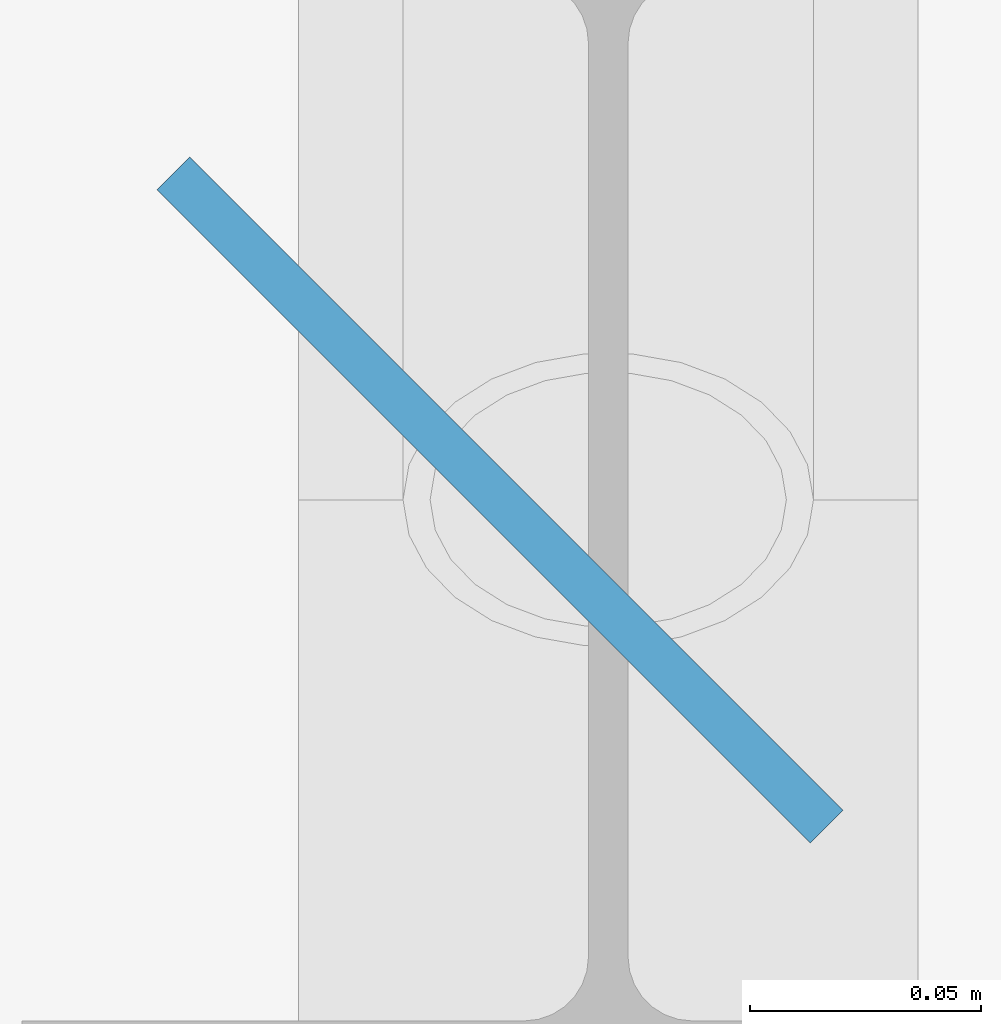
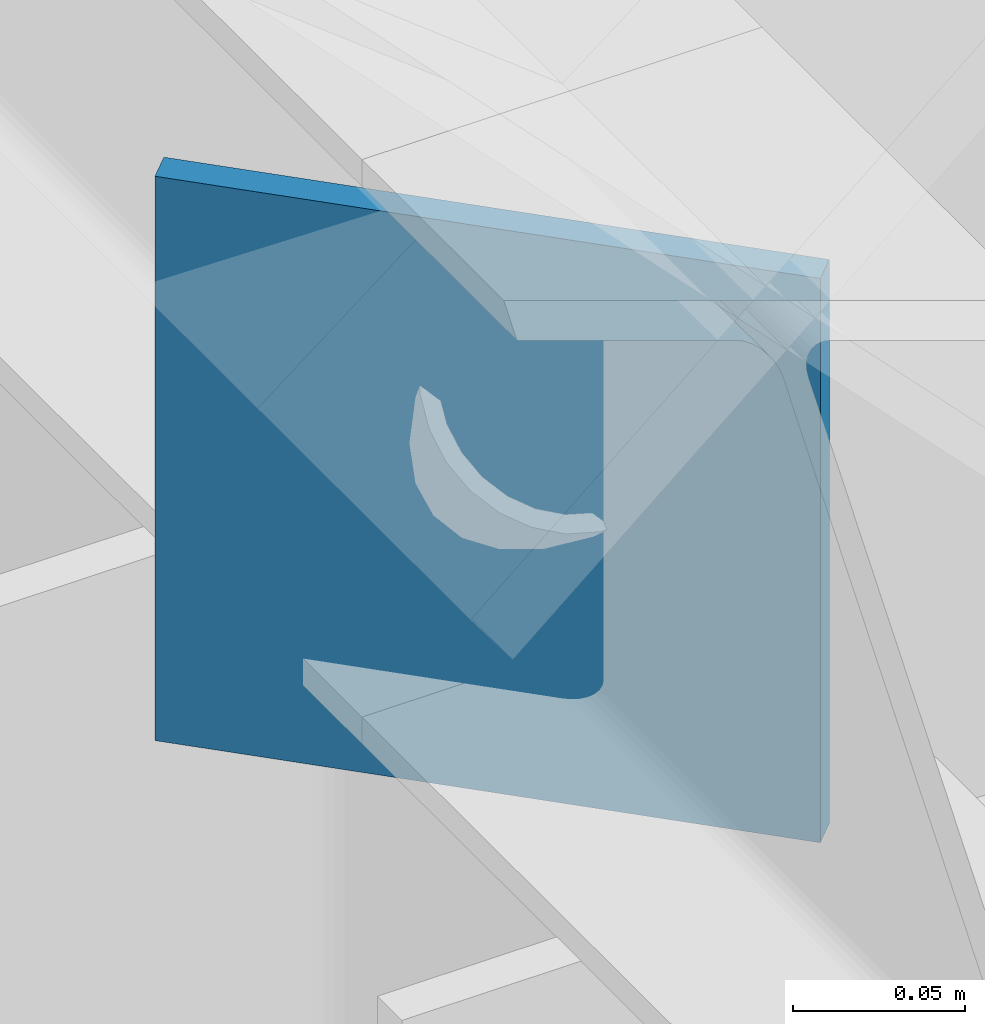
# One storey, part 84 of 106: 1 discrete accessory.
"""IFC4 building model written with IfcOpenShell, lengths in metres."""

from ifc_helpers import new_model, si_unit, direction, frame, origin, origin_2d, place, context, subcontext, project, spatial, rectangle, extrude, material, type_object, element, save


model = new_model("IFC4")

# Units and contexts
model_context = context("Model", 3, precision=1e-05, world=origin(), true_north=direction((0.0, 1.0)))
body_context = subcontext(model_context, "Body", "Model", "MODEL_VIEW")
ifc_project = project(units=[si_unit("LENGTHUNIT", "METRE"), si_unit("AREAUNIT", "SQUARE_METRE"), si_unit("VOLUMEUNIT", "CUBIC_METRE"), si_unit("PLANEANGLEUNIT", "RADIAN"), si_unit("MASSUNIT", "GRAM", prefix="KILO")], contexts=[model_context])

# Site, building, storey
site_placement = place(None, origin())
site = spatial("IfcSite", under=ifc_project, at=site_placement, CompositionType="ELEMENT")
building_placement = place(site_placement, origin())
building = spatial("IfcBuilding", under=site, at=building_placement, Name="Hortulan Conservatory and Botanical Research Centre", CompositionType="ELEMENT")
storey_placement = place(building_placement, origin())
storey = spatial("IfcBuildingStorey", under=building, at=storey_placement, Name="L00", CompositionType="ELEMENT", Elevation=0.0)

# Discrete accessory
ifc_material = material(Name="Steel Grade 300 plate (AS/NZS 3678, 280 MPa minimum yield)", Category="steel")
discrete_accessory_type = type_object("IfcDiscreteAccessoryType", Name="End Plate 200x10", PredefinedType="BRACKET", material=ifc_material)
discrete_accessory_placement = place(storey_placement, frame((94.4765625, 27.0, 4.97119140625), z_axis=(0.0, 0.0, 1.0), x_axis=(0.707106781187, -0.707106781187, 0.0)))
element("IfcDiscreteAccessory", 1, at=discrete_accessory_placement, inside=storey, type_object=discrete_accessory_type, Name="Brace end plate", PredefinedType="BRACKET", context=body_context, shape_type="SweptSolid", body=[
    extrude(rectangle(XDim=0.199951171875, YDim=0.010009765625, at=origin_2d()), origin(), (0.0, 0.0, 1.0), 0.199951171875),
])

save(model, "model.ifc")
